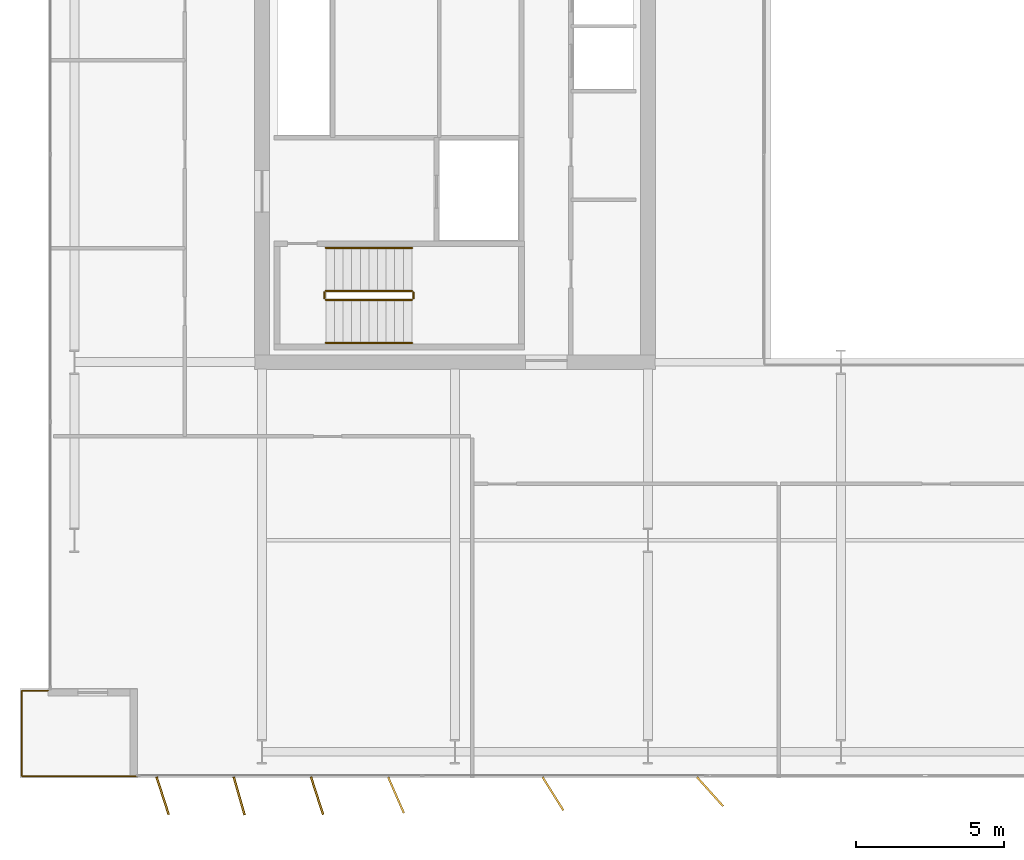
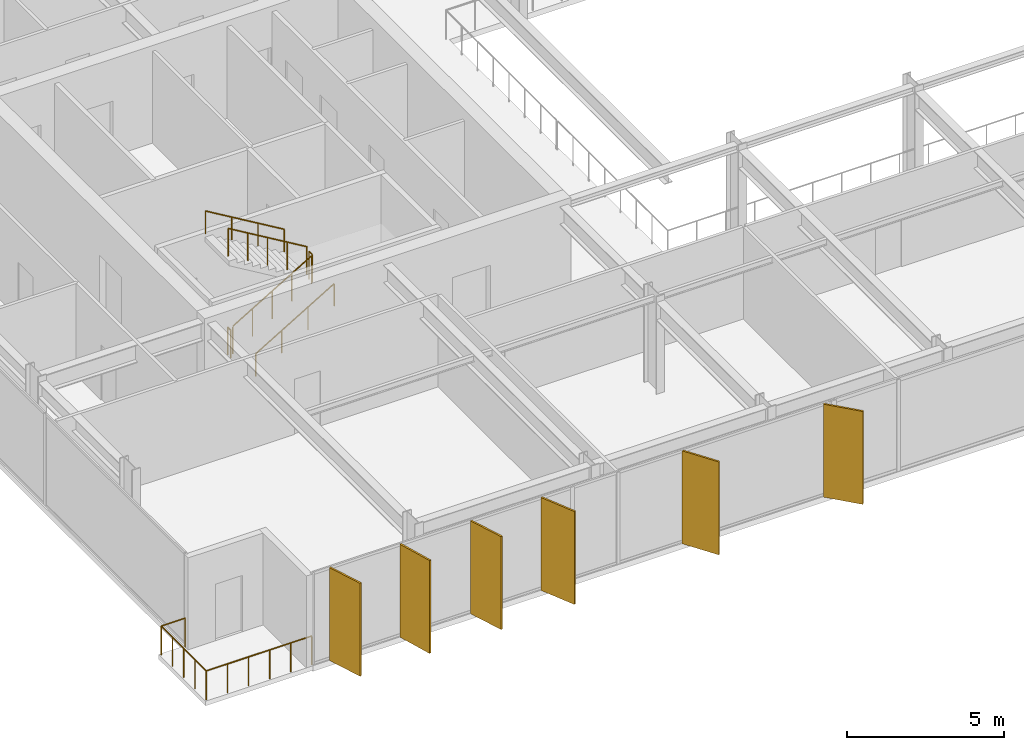
# One storey, part 20 of 23: 7 railings, 6 shading devices.
"""IFC4 building model written with IfcOpenShell, lengths in metres."""

from ifc_helpers import new_model, si_unit, direction, frame, origin, origin_2d, place, context, subcontext, project, spatial, rectangle, circle, extrude, material, layer, layer_set, type_object, element, save


model = new_model("IFC4")

# Units and contexts
model_context = context("Model", 3, precision=1e-05, world=origin(), true_north=direction((0.0, 1.0)))
body_context = subcontext(model_context, "Body", "Model", "MODEL_VIEW")
ifc_project = project(units=[si_unit("LENGTHUNIT", "METRE"), si_unit("AREAUNIT", "SQUARE_METRE"), si_unit("VOLUMEUNIT", "CUBIC_METRE"), si_unit("PLANEANGLEUNIT", "RADIAN"), si_unit("MASSUNIT", "GRAM", prefix="KILO")], contexts=[model_context])

# Site, building, storey
site_placement = place(None, origin())
site = spatial("IfcSite", under=ifc_project, at=site_placement, CompositionType="ELEMENT")
building_placement = place(site_placement, origin())
building = spatial("IfcBuilding", under=site, at=building_placement, Name="Putna Gate Headquarters", CompositionType="ELEMENT")
storey_placement = place(building_placement, frame((0.0, 0.0, 229.0)))
storey = spatial("IfcBuildingStorey", under=building, at=storey_placement, Name="L57", CompositionType="ELEMENT", Elevation=229.0)

# Railings
ifc_material_1 = material(Name="Powder-coated steel stair guardrail", Category="steel")
railing_type_1 = type_object("IfcRailingType", Name="RAIL-STAIR-GUARD-1100", PredefinedType="GUARDRAIL", material=ifc_material_1)
railing_1_placement = place(storey_placement, frame((15.14990234375, 21.10009765625, 0.172607421875)))
element("IfcRailing", 1, at=railing_1_placement, inside=storey, type_object=railing_type_1, Name="L57 ST1 stair guard 1", PredefinedType="GUARDRAIL", context=body_context, shape_type="SweptSolid", body=[
    extrude(circle(Radius=0.02392578125, at=origin_2d()), frame((0.0, 0.0, 1.076171875), z_axis=(0.859160404282, 0.0, 0.51170636083), x_axis=(0.0, 1.0, 0.0)), (0.0, 0.0, 1.0), 3.37548828125),
    extrude(circle(Radius=0.02099609375, at=origin_2d()), origin(), (0.0, 0.0, 1.0), 1.052001953125),
    extrude(circle(Radius=0.02099609375, at=origin_2d()), frame((0.72509765625, 0.0, 0.431884765625)), (0.0, 0.0, 1.0), 1.052001953125),
    extrude(circle(Radius=0.02099609375, at=origin_2d()), frame((1.4501953125, 0.0, 0.86376953125)), (0.0, 0.0, 1.0), 1.052001953125),
    extrude(circle(Radius=0.02099609375, at=origin_2d()), frame((2.175048828125, 0.0, 1.29541015625)), (0.0, 0.0, 1.0), 1.052001953125),
    extrude(circle(Radius=0.02099609375, at=origin_2d()), frame((2.900146484375, 0.0, 1.727294921875)), (0.0, 0.0, 1.0), 1.052001953125),
])
railing_2_placement = place(storey_placement, frame((18.10009765625, 21.14990234375, 1.89990234375)))
element("IfcRailing", 2, at=railing_2_placement, inside=storey, type_object=railing_type_1, Name="L57 ST1 stair guard 2", PredefinedType="GUARDRAIL", context=body_context, shape_type="SweptSolid", body=[
    extrude(circle(Radius=0.02392578125, at=origin_2d()), frame((0.0, 0.0, 1.076171875), z_axis=(0.0, 1.0, 0.0), x_axis=(-1.0, 0.0, 0.0)), (0.0, 0.0, 1.0), 0.2001953125),
    extrude(circle(Radius=0.02099609375, at=origin_2d()), origin(), (0.0, 0.0, 1.0), 1.052001953125),
    extrude(circle(Radius=0.02099609375, at=origin_2d()), frame((0.0, 0.2001953125, 0.0)), (0.0, 0.0, 1.0), 1.052001953125),
])
railing_3_placement = place(storey_placement, frame((18.050048828125, 21.39990234375, 2.07275390625)))
element("IfcRailing", 3, at=railing_3_placement, inside=storey, type_object=railing_type_1, Name="L57 ST1 stair guard 3", PredefinedType="GUARDRAIL", context=body_context, shape_type="SweptSolid", body=[
    extrude(circle(Radius=0.02392578125, at=origin_2d()), frame((0.0, 0.0, 1.076171875), z_axis=(-0.859160404282, 0.0, 0.51170636083), x_axis=(0.0, -1.0, 0.0)), (0.0, 0.0, 1.0), 3.37548828125),
    extrude(circle(Radius=0.02099609375, at=origin_2d()), origin(), (0.0, 0.0, 1.0), 1.052001953125),
    extrude(circle(Radius=0.02099609375, at=origin_2d()), frame((-0.72509765625, 0.0, 0.431884765625)), (0.0, 0.0, 1.0), 1.052001953125),
    extrude(circle(Radius=0.02099609375, at=origin_2d()), frame((-1.4501953125, 0.0, 0.86376953125)), (0.0, 0.0, 1.0), 1.052001953125),
    extrude(circle(Radius=0.02099609375, at=origin_2d()), frame((-2.175048828125, 0.0, 1.29541015625)), (0.0, 0.0, 1.0), 1.052001953125),
    extrude(circle(Radius=0.02099609375, at=origin_2d()), frame((-2.900146484375, 0.0, 1.727294921875)), (0.0, 0.0, 1.0), 1.052001953125),
])
railing_4_placement = place(storey_placement, frame((15.10009765625, 21.14990234375, 0.0)))
element("IfcRailing", 4, at=railing_4_placement, inside=storey, type_object=railing_type_1, Name="L57 ST1 stair guard 4", PredefinedType="GUARDRAIL", context=body_context, shape_type="SweptSolid", body=[
    extrude(circle(Radius=0.02392578125, at=origin_2d()), frame((0.0, 0.0, 1.076171875), z_axis=(0.0, 1.0, 0.0), x_axis=(-1.0, 0.0, 0.0)), (0.0, 0.0, 1.0), 0.2001953125),
    extrude(circle(Radius=0.02099609375, at=origin_2d()), origin(), (0.0, 0.0, 1.0), 1.052001953125),
    extrude(circle(Radius=0.02099609375, at=origin_2d()), frame((0.0, 0.2001953125, 0.0)), (0.0, 0.0, 1.0), 1.052001953125),
])
ifc_material_2 = material(Name="Brushed stainless steel handrail", Category="steel")
railing_type_2 = type_object("IfcRailingType", Name="RAIL-STAIR-HAND-900", PredefinedType="HANDRAIL", material=ifc_material_2)
railing_5_placement = place(storey_placement, frame((15.14990234375, 19.64990234375, 0.172607421875)))
element("IfcRailing", 5, at=railing_5_placement, inside=storey, type_object=railing_type_2, Name="L57 ST1 stair handrail 1", PredefinedType="HANDRAIL", context=body_context, shape_type="SweptSolid", body=[
    extrude(circle(Radius=0.02392578125, at=origin_2d()), frame((0.0, 0.0, 0.8759765625), z_axis=(0.859160404282, 0.0, 0.51170636083), x_axis=(0.0, 1.0, 0.0)), (0.0, 0.0, 1.0), 3.37548828125),
    extrude(circle(Radius=0.02099609375, at=origin_2d()), origin(), (0.0, 0.0, 1.0), 0.851806640625),
    extrude(circle(Radius=0.02099609375, at=origin_2d()), frame((0.966796875, 0.0, 0.57568359375)), (0.0, 0.0, 1.0), 0.851806640625),
    extrude(circle(Radius=0.02099609375, at=origin_2d()), frame((1.933349609375, 0.0, 1.151611328125)), (0.0, 0.0, 1.0), 0.851806640625),
    extrude(circle(Radius=0.02099609375, at=origin_2d()), frame((2.900146484375, 0.0, 1.727294921875)), (0.0, 0.0, 1.0), 0.851806640625),
])
railing_6_placement = place(storey_placement, frame((18.050048828125, 22.85009765625, 2.07275390625)))
element("IfcRailing", 6, at=railing_6_placement, inside=storey, type_object=railing_type_2, Name="L57 ST1 stair handrail 2", PredefinedType="HANDRAIL", context=body_context, shape_type="SweptSolid", body=[
    extrude(circle(Radius=0.02392578125, at=origin_2d()), frame((0.0, 0.0, 0.8759765625), z_axis=(-0.859160404282, 0.0, 0.51170636083), x_axis=(0.0, -1.0, 0.0)), (0.0, 0.0, 1.0), 3.37548828125),
    extrude(circle(Radius=0.02099609375, at=origin_2d()), origin(), (0.0, 0.0, 1.0), 0.851806640625),
    extrude(circle(Radius=0.02099609375, at=origin_2d()), frame((-0.966796875, 0.0, 0.57568359375)), (0.0, 0.0, 1.0), 0.851806640625),
    extrude(circle(Radius=0.02099609375, at=origin_2d()), frame((-1.933349609375, 0.0, 1.151611328125)), (0.0, 0.0, 1.0), 0.851806640625),
    extrude(circle(Radius=0.02099609375, at=origin_2d()), frame((-2.900146484375, 0.0, 1.727294921875)), (0.0, 0.0, 1.0), 0.851806640625),
])
ifc_material_3 = material(Name="Anodised bronze steel and laminated glass guardrail", Category="steel")
railing_type_3 = type_object("IfcRailingType", Name="RAIL-TERR-GUARD-1150", PredefinedType="GUARDRAIL", material=ifc_material_3)
railing_7_placement = place(storey_placement, frame((8.800048828125, 5.06005859375, 0.0)))
element("IfcRailing", 7, at=railing_7_placement, inside=storey, type_object=railing_type_3, Name="L57 Spiral Sky Terrace Guardrail SW", PredefinedType="GUARDRAIL", context=body_context, shape_type="SweptSolid", body=[
    extrude(circle(Radius=0.02392578125, at=origin_2d()), frame((0.0, 0.0, 1.1259765625), z_axis=(-1.0, 0.0, 0.0), x_axis=(0.0, -1.0, 0.0)), (0.0, 0.0, 1.0), 3.89013671875),
    extrude(circle(Radius=0.02392578125, at=origin_2d()), frame((-3.89013671875, 0.0, 1.1259765625), z_axis=(0.0, 1.0, 0.0), x_axis=(-1.0, 0.0, 0.0)), (0.0, 0.0, 1.0), 2.8798828125),
    extrude(circle(Radius=0.02392578125, at=origin_2d()), frame((-3.89013671875, 2.8798828125, 1.1259765625), z_axis=(1.0, 0.0, 0.0), x_axis=(0.0, 1.0, 0.0)), (0.0, 0.0, 1.0), 0.89013671875),
    extrude(circle(Radius=0.02099609375, at=origin_2d()), origin(), (0.0, 0.0, 1.0), 1.101806640625),
    extrude(circle(Radius=0.02099609375, at=origin_2d()), frame((-0.778076171875, 0.0, 0.0)), (0.0, 0.0, 1.0), 1.101806640625),
    extrude(circle(Radius=0.02099609375, at=origin_2d()), frame((-1.55615234375, 0.0, 0.0)), (0.0, 0.0, 1.0), 1.101806640625),
    extrude(circle(Radius=0.02099609375, at=origin_2d()), frame((-2.333984375, 0.0, 0.0)), (0.0, 0.0, 1.0), 1.101806640625),
    extrude(circle(Radius=0.02099609375, at=origin_2d()), frame((-3.112060546875, 0.0, 0.0)), (0.0, 0.0, 1.0), 1.101806640625),
    extrude(circle(Radius=0.02099609375, at=origin_2d()), frame((-3.89013671875, 0.0, 0.0)), (0.0, 0.0, 1.0), 1.101806640625),
    extrude(circle(Radius=0.02099609375, at=origin_2d()), frame((-3.89013671875, 0.719970703125, 0.0)), (0.0, 0.0, 1.0), 1.101806640625),
    extrude(circle(Radius=0.02099609375, at=origin_2d()), frame((-3.89013671875, 1.43994140625, 0.0)), (0.0, 0.0, 1.0), 1.101806640625),
    extrude(circle(Radius=0.02099609375, at=origin_2d()), frame((-3.89013671875, 2.159912109375, 0.0)), (0.0, 0.0, 1.0), 1.101806640625),
    extrude(circle(Radius=0.02099609375, at=origin_2d()), frame((-3.89013671875, 2.8798828125, 0.0)), (0.0, 0.0, 1.0), 1.101806640625),
    extrude(circle(Radius=0.02099609375, at=origin_2d()), frame((-3.0, 2.8798828125, 0.0)), (0.0, 0.0, 1.0), 1.101806640625),
])

# Shading devices
ifc_material_4 = material(Name="Anodised architectural bronze aluminium fin", Category="aluminium")
ifc_layer = layer(ifc_material_4, 0.06494140625)
ifc_layer_set = layer_set([ifc_layer], Name="Anodised architectural bronze aluminium fin")
shading_device_type = type_object("IfcShadingDeviceType", Name="SHADE-BRONZE-FIN-1320", PredefinedType="USERDEFINED", material=ifc_layer_set)
for number, where, z_axis, x_axis, name in (
    (8, (9.65380859375, 4.397216796875, -0.02001953125), (0.0, 0.0, 1.0), (0.308684994204, -0.951164325631, 0.0), "L57 Bronze Vertical Shading Fin S1"),
    (9, (12.23193359375, 4.390625, -0.02001953125), (0.0, 0.0, 1.0), (0.275637355817, -0.961261695938, 0.0), "L57 Bronze Vertical Shading Fin S2"),
    (10, (14.853759765625, 4.397216796875, -0.02001953125), (0.0, 0.0, 1.0), (0.308684994204, -0.951164325631, 0.0), "L57 Bronze Vertical Shading Fin S3"),
    (11, (17.514404296875, 4.42041015625, -0.02001953125), (0.0, 0.0, 1.0), (0.400668879095, -0.916222925562, 0.0), "L57 Bronze Vertical Shading Fin S4"),
    (12, (22.80029296875, 4.465576171875, -0.02001953125), (0.0, 0.0, 1.0), (0.530659123936, -0.847585331506, 0.0), "L57 Bronze Vertical Shading Fin S5"),
    (13, (28.091552734375, 4.534423828125, -0.02001953125), (0.0, 0.0, 1.0), (0.669130606359, -0.743144825477, 0.0), "L57 Bronze Vertical Shading Fin S6"),
):
    element("IfcShadingDevice", number, at=place(storey_placement, frame(where, z_axis=z_axis, x_axis=x_axis)), inside=storey, type_object=shading_device_type, Name=name, ObjectType="FIN", PredefinedType="USERDEFINED", context=body_context, shape_type="SweptSolid", body=[
        extrude(rectangle(XDim=1.320068359375, YDim=0.06494140625, at=origin_2d()), origin(), (0.0, 0.0, 1.0), 3.6201171875),
    ])

save(model, "model.ifc")
